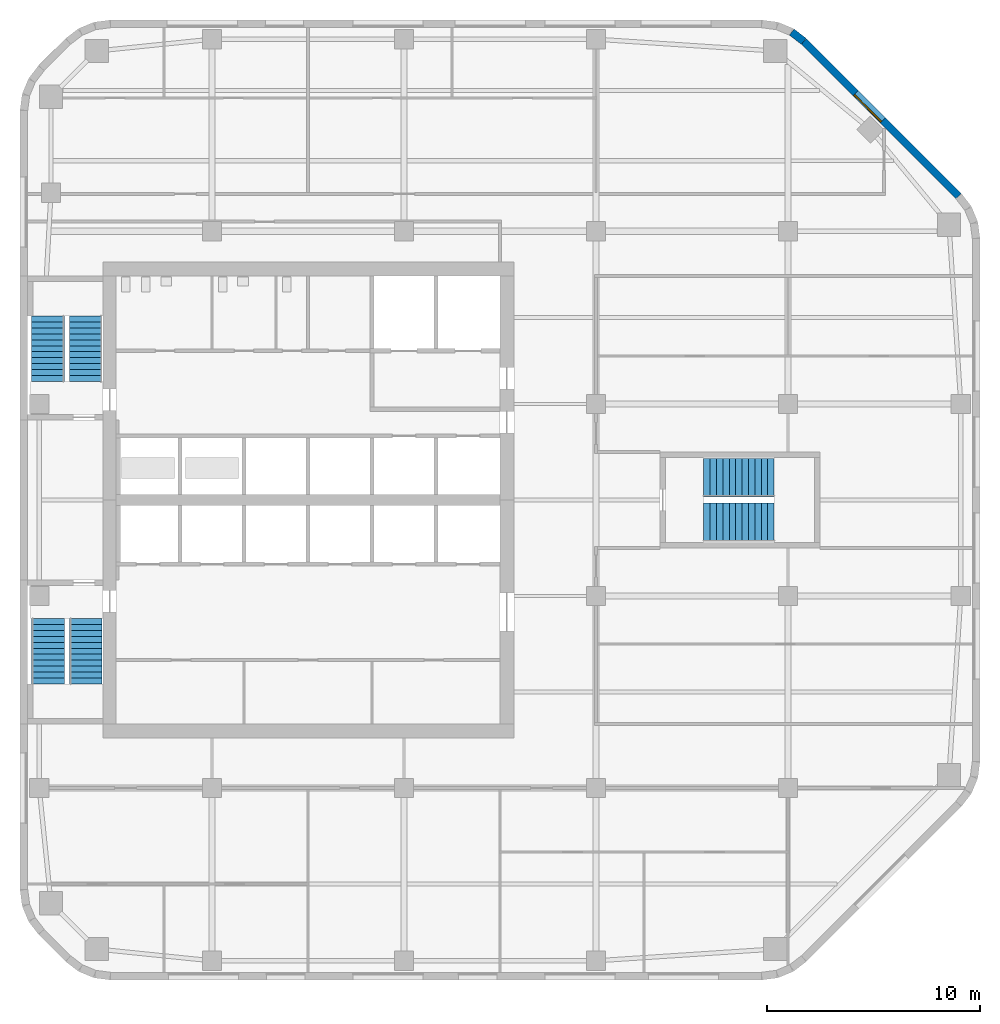
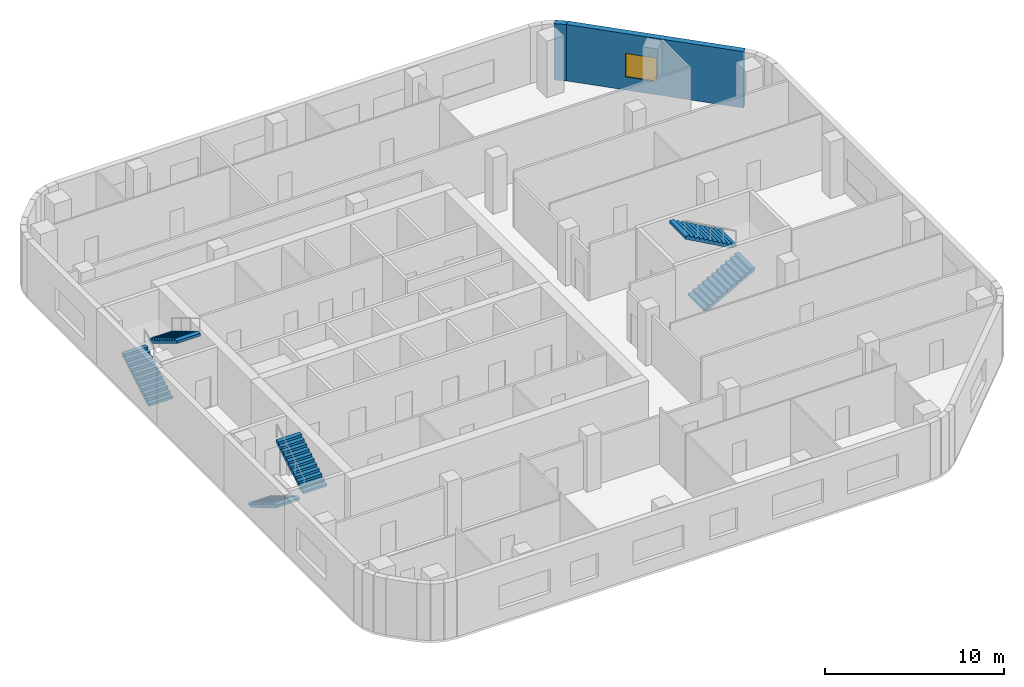
# One storey, part 6 of 9: 6 stair flights, 2 walls, 1 window, 1 opening, 3 elements without a shape of their own.
"""IFC4 building model written with IfcOpenShell, lengths in metres."""

from ifc_helpers import new_model, si_unit, direction, frame, frame_2d, origin, place, context, subcontext, project, spatial, polyline, rectangle, outline, extrude, material, layer, layer_set, type_object, element, fill, aggregate, save


model = new_model("IFC4")

# Units and contexts
model_context = context("Model", 3, precision=1e-05, world=origin(), true_north=direction((0.0, 1.0)))
body_context = subcontext(model_context, "Body", "Model", "MODEL_VIEW")
ifc_project = project(units=[si_unit("LENGTHUNIT", "METRE"), si_unit("AREAUNIT", "SQUARE_METRE"), si_unit("VOLUMEUNIT", "CUBIC_METRE"), si_unit("PLANEANGLEUNIT", "RADIAN"), si_unit("MASSUNIT", "GRAM", prefix="KILO")], contexts=[model_context])

# Site, building, storey
site_placement = place(None, origin())
site = spatial("IfcSite", under=ifc_project, at=site_placement, CompositionType="ELEMENT")
building_placement = place(site_placement, origin())
building = spatial("IfcBuilding", under=site, at=building_placement, Name="Cinnabar Reach Civic Tower", CompositionType="ELEMENT")
storey_placement = place(building_placement, frame((0.0, 0.0, 153.0)))
storey = spatial("IfcBuildingStorey", under=building, at=storey_placement, Name="L36", CompositionType="ELEMENT", Elevation=153.0)

# Wall
ifc_material_1 = material(Name="Facing brick with insulated backing", Category="masonry")
ifc_layer_1 = layer(ifc_material_1, 0.36)
ifc_layer_set_1 = layer_set([ifc_layer_1], Name="Brick corner wall")
wall_type_1 = type_object("IfcWallType", Name="Brick corner wall", PredefinedType="STANDARD", material=ifc_layer_set_1)
wall_1_placement = place(storey_placement, frame((36.7413, 52.9998, 0.0), z_axis=(0.0, 0.0, 1.0), x_axis=(-0.793321924995, 0.608802368033, 0.0)))
element("IfcWall", 1, at=wall_1_placement, inside=storey, type_object=wall_type_1, Name="Brick corner wall", PredefinedType="STANDARD", context=body_context, shape_type="SweptSolid", body=[
    extrude(rectangle(XDim=0.7132, YDim=0.36, at=frame_2d((0.3566, 0.0))), origin(), (0.0, 0.0, 1.0), 3.85),
])

# Wall, opening, window
ifc_layer_2 = layer(ifc_material_1, 0.36)
ifc_layer_set_2 = layer_set([ifc_layer_2], Name="Brick pier and spandrel wall")
wall_type_2 = type_object("IfcWallType", Name="Brick pier and spandrel wall", PredefinedType="STANDARD", material=ifc_layer_set_2)
wall_2_placement = place(storey_placement, frame((43.994, 45.7514, 0.0), z_axis=(0.0, 0.0, 1.0), x_axis=(-0.707106781187, 0.707106781187, 0.0)))
wall_2 = element("IfcWall", 2, at=wall_2_placement, inside=storey, type_object=wall_type_2, Name="Brick facade wall", PredefinedType="STANDARD", context=body_context, shape_type="SweptSolid", body=[
    extrude(rectangle(XDim=10.2426, YDim=0.36, at=frame_2d((5.1213, 0.0))), origin(), (0.0, 0.0, 1.0), 3.85),
])
opening_placement = place(wall_2_placement, frame((5.0213, 0.0, 0.9)))
opening = element("IfcOpeningElement", 3, at=opening_placement, cuts=wall_2, Name="Opening W1752", PredefinedType="OPENING", context=body_context, shape_type="SweptSolid", body=[
    extrude(rectangle(XDim=1.8, YDim=1.6, at=frame_2d((0.9, 0.8))), frame((0.0, 0.19, 0.0), z_axis=(0.0, -1.0, 0.0), x_axis=(1.0, 0.0, 0.0)), (0.0, 0.0, 1.0), 0.38),
])
ifc_material_2 = material(Name="Clear double glazing in aluminium frame", Category="aluminium")
window_type = type_object("IfcWindowType", Name="Deep-set window D", PartitioningType="SINGLE_PANEL", PredefinedType="WINDOW", material=ifc_material_2)
window_placement = place(opening_placement, origin())
window = element("IfcWindow", 4, at=window_placement, inside=storey, type_object=window_type, Name="Window northeast face", OverallHeight=1.6, OverallWidth=1.8, PartitioningType="SINGLE_PANEL", PredefinedType="WINDOW", context=body_context, shape_type="SweptSolid", body=[
    extrude(rectangle(XDim=1.8, YDim=1.6, at=frame_2d((0.9, 0.8))), frame((0.0, 0.13, 0.0), z_axis=(0.0, -1.0, 0.0), x_axis=(1.0, 0.0, 0.0)), (0.0, 0.0, 1.0), 0.06),
])
fill(opening, window)

# Stair, stair flights
ifc_material_3 = material(Name="Concrete C40/50", Category="concrete")
stair_type = type_object("IfcStairType", Name="T1 Exit stair, half-turn", PredefinedType="HALF_TURN_STAIR", material=ifc_material_3)
stair_1_placement = place(storey_placement, origin())
stair_1 = element("IfcStair", 5, at=stair_1_placement, inside=storey, type_object=stair_type, Name="Stair T1-S1", PredefinedType="HALF_TURN_STAIR")
stair_flight_type = type_object("IfcStairFlightType", Name="T1 Stair flight, concrete", PredefinedType="STRAIGHT", material=ifc_material_3)
stair_flight_1_placement = place(storey_placement, frame((1.3125, 25.95, 0.0), z_axis=(0.0, 0.0, 1.0), x_axis=(0.0, -1.0, 0.0)))
stair_flight_1 = element("IfcStairFlight", 6, at=stair_flight_1_placement, type_object=stair_flight_type, Name="T1-S1 flight 1", NumberOfRisers=12, NumberOfTreads=11, PredefinedType="STRAIGHT", RiserHeight=0.166666667, TreadLength=0.28, context=body_context, shape_type="SweptSolid", body=[
    extrude(outline(polyline([(0.0, 0.0), (0.0, 0.1667), (0.28, 0.1667), (0.28, 0.3333), (0.56, 0.3333), (0.56, 0.5), (0.84, 0.5), (0.84, 0.6667), (1.12, 0.6667), (1.12, 0.8333), (1.4, 0.8333), (1.4, 1.0), (1.68, 1.0), (1.68, 1.1667), (1.96, 1.1667), (1.96, 1.3333), (2.24, 1.3333), (2.24, 1.5), (2.52, 1.5), (2.52, 1.6667), (2.8, 1.6667), (2.8, 1.8333), (3.08, 1.8333), (3.08, 2.0), (3.08, 1.6588), (0.2933, 0.0), (0.0, 0.0)])), frame((0.0, 0.7625, 0.0), z_axis=(0.0, -1.0, 0.0), x_axis=(1.0, 0.0, 0.0)), (0.0, 0.0, 1.0), 1.525),
])
stair_flight_2_placement = place(storey_placement, frame((3.0875, 22.87, 2.0), z_axis=(0.0, 0.0, 1.0), x_axis=(0.0, 1.0, 0.0)))
stair_flight_2 = element("IfcStairFlight", 7, at=stair_flight_2_placement, type_object=stair_flight_type, Name="T1-S1 flight 2", NumberOfRisers=12, NumberOfTreads=11, PredefinedType="STRAIGHT", RiserHeight=0.166666667, TreadLength=0.28, context=body_context, shape_type="SweptSolid", body=[
    extrude(outline(polyline([(0.0, 0.0), (0.0, 0.1667), (0.28, 0.1667), (0.28, 0.3333), (0.56, 0.3333), (0.56, 0.5), (0.84, 0.5), (0.84, 0.6667), (1.12, 0.6667), (1.12, 0.8333), (1.4, 0.8333), (1.4, 1.0), (1.68, 1.0), (1.68, 1.1667), (1.96, 1.1667), (1.96, 1.3333), (2.24, 1.3333), (2.24, 1.5), (2.52, 1.5), (2.52, 1.6667), (2.8, 1.6667), (2.8, 1.8333), (3.08, 1.8333), (3.08, 2.0), (3.08, 1.6588), (0.2933, 0.0), (0.0, 0.0)])), frame((0.0, 0.7625, 0.0), z_axis=(0.0, -1.0, 0.0), x_axis=(1.0, 0.0, 0.0)), (0.0, 0.0, 1.0), 1.525),
])
aggregate(stair_1, [stair_flight_1, stair_flight_2])

stair_2_placement = place(storey_placement, origin())
stair_2 = element("IfcStair", 8, at=stair_2_placement, inside=storey, type_object=stair_type, Name="Stair T1-S2", PredefinedType="HALF_TURN_STAIR")
stair_flight_3_placement = place(storey_placement, frame((1.3125, 37.05, 0.0), z_axis=(0.0, 0.0, 1.0), x_axis=(0.0, 1.0, 0.0)))
stair_flight_3 = element("IfcStairFlight", 9, at=stair_flight_3_placement, type_object=stair_flight_type, Name="T1-S2 flight 1", NumberOfRisers=12, NumberOfTreads=11, PredefinedType="STRAIGHT", RiserHeight=0.166666667, TreadLength=0.28, context=body_context, shape_type="SweptSolid", body=[
    extrude(outline(polyline([(0.0, 0.0), (0.0, 0.1667), (0.28, 0.1667), (0.28, 0.3333), (0.56, 0.3333), (0.56, 0.5), (0.84, 0.5), (0.84, 0.6667), (1.12, 0.6667), (1.12, 0.8333), (1.4, 0.8333), (1.4, 1.0), (1.68, 1.0), (1.68, 1.1667), (1.96, 1.1667), (1.96, 1.3333), (2.24, 1.3333), (2.24, 1.5), (2.52, 1.5), (2.52, 1.6667), (2.8, 1.6667), (2.8, 1.8333), (3.08, 1.8333), (3.08, 2.0), (3.08, 1.6588), (0.2933, 0.0), (0.0, 0.0)])), frame((0.0, 0.7625, 0.0), z_axis=(0.0, -1.0, 0.0), x_axis=(1.0, 0.0, 0.0)), (0.0, 0.0, 1.0), 1.525),
])
stair_flight_4_placement = place(storey_placement, frame((3.0875, 40.13, 2.0), z_axis=(0.0, 0.0, 1.0), x_axis=(0.0, -1.0, 0.0)))
stair_flight_4 = element("IfcStairFlight", 10, at=stair_flight_4_placement, type_object=stair_flight_type, Name="T1-S2 flight 2", NumberOfRisers=12, NumberOfTreads=11, PredefinedType="STRAIGHT", RiserHeight=0.166666667, TreadLength=0.28, context=body_context, shape_type="SweptSolid", body=[
    extrude(outline(polyline([(0.0, 0.0), (0.0, 0.1667), (0.28, 0.1667), (0.28, 0.3333), (0.56, 0.3333), (0.56, 0.5), (0.84, 0.5), (0.84, 0.6667), (1.12, 0.6667), (1.12, 0.8333), (1.4, 0.8333), (1.4, 1.0), (1.68, 1.0), (1.68, 1.1667), (1.96, 1.1667), (1.96, 1.3333), (2.24, 1.3333), (2.24, 1.5), (2.52, 1.5), (2.52, 1.6667), (2.8, 1.6667), (2.8, 1.8333), (3.08, 1.8333), (3.08, 2.0), (3.08, 1.6588), (0.2933, 0.0), (0.0, 0.0)])), frame((0.0, 0.7625, 0.0), z_axis=(0.0, -1.0, 0.0), x_axis=(1.0, 0.0, 0.0)), (0.0, 0.0, 1.0), 1.525),
])
aggregate(stair_2, [stair_flight_3, stair_flight_4])

stair_3_placement = place(storey_placement, origin())
stair_3 = element("IfcStair", 11, at=stair_3_placement, inside=storey, type_object=stair_type, Name="Stair T1-S3", PredefinedType="HALF_TURN_STAIR")
stair_flight_5_placement = place(storey_placement, frame((32.05, 30.45, 0.0), z_axis=(0.0, 0.0, 1.0), x_axis=(1.0, 0.0, 0.0)))
stair_flight_5 = element("IfcStairFlight", 12, at=stair_flight_5_placement, type_object=stair_flight_type, Name="T1-S3 flight 1", NumberOfRisers=12, NumberOfTreads=11, PredefinedType="STRAIGHT", RiserHeight=0.166666667, TreadLength=0.3, context=body_context, shape_type="SweptSolid", body=[
    extrude(outline(polyline([(0.0, 0.0), (0.0, 0.1667), (0.3, 0.1667), (0.3, 0.3333), (0.6, 0.3333), (0.6, 0.5), (0.9, 0.5), (0.9, 0.6667), (1.2, 0.6667), (1.2, 0.8333), (1.5, 0.8333), (1.5, 1.0), (1.8, 1.0), (1.8, 1.1667), (2.1, 1.1667), (2.1, 1.3333), (2.4, 1.3333), (2.4, 1.5), (2.7, 1.5), (2.7, 1.6667), (3.0, 1.6667), (3.0, 1.8333), (3.3, 1.8333), (3.3, 2.0), (3.3, 1.6617), (0.3089, 0.0), (0.0, 0.0)])), frame((0.0, 0.9, 0.0), z_axis=(0.0, -1.0, 0.0), x_axis=(1.0, 0.0, 0.0)), (0.0, 0.0, 1.0), 1.8),
])
stair_flight_6_placement = place(storey_placement, frame((35.35, 32.55, 2.0), z_axis=(0.0, 0.0, 1.0), x_axis=(-1.0, 0.0, 0.0)))
stair_flight_6 = element("IfcStairFlight", 13, at=stair_flight_6_placement, type_object=stair_flight_type, Name="T1-S3 flight 2", NumberOfRisers=12, NumberOfTreads=11, PredefinedType="STRAIGHT", RiserHeight=0.166666667, TreadLength=0.3, context=body_context, shape_type="SweptSolid", body=[
    extrude(outline(polyline([(0.0, 0.0), (0.0, 0.1667), (0.3, 0.1667), (0.3, 0.3333), (0.6, 0.3333), (0.6, 0.5), (0.9, 0.5), (0.9, 0.6667), (1.2, 0.6667), (1.2, 0.8333), (1.5, 0.8333), (1.5, 1.0), (1.8, 1.0), (1.8, 1.1667), (2.1, 1.1667), (2.1, 1.3333), (2.4, 1.3333), (2.4, 1.5), (2.7, 1.5), (2.7, 1.6667), (3.0, 1.6667), (3.0, 1.8333), (3.3, 1.8333), (3.3, 2.0), (3.3, 1.6617), (0.3089, 0.0), (0.0, 0.0)])), frame((0.0, 0.9, 0.0), z_axis=(0.0, -1.0, 0.0), x_axis=(1.0, 0.0, 0.0)), (0.0, 0.0, 1.0), 1.8),
])
aggregate(stair_3, [stair_flight_5, stair_flight_6])

save(model, "model.ifc")
